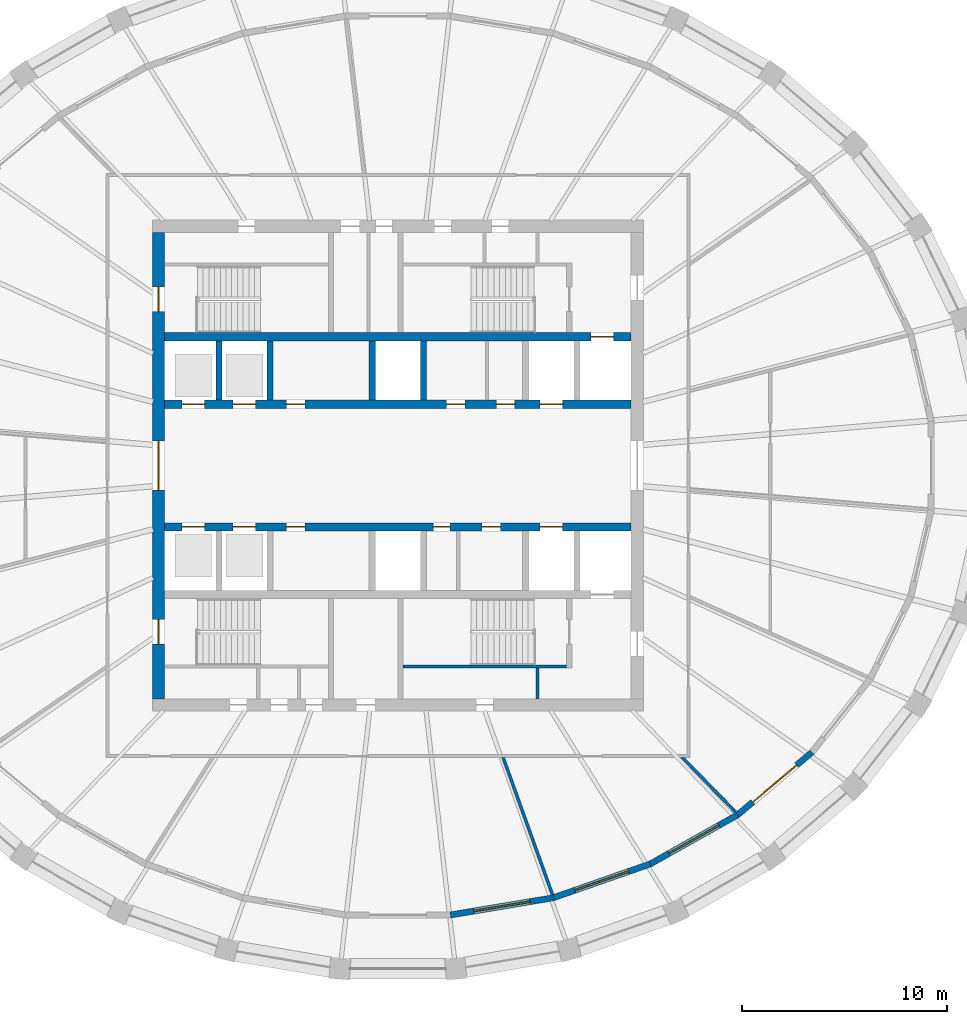
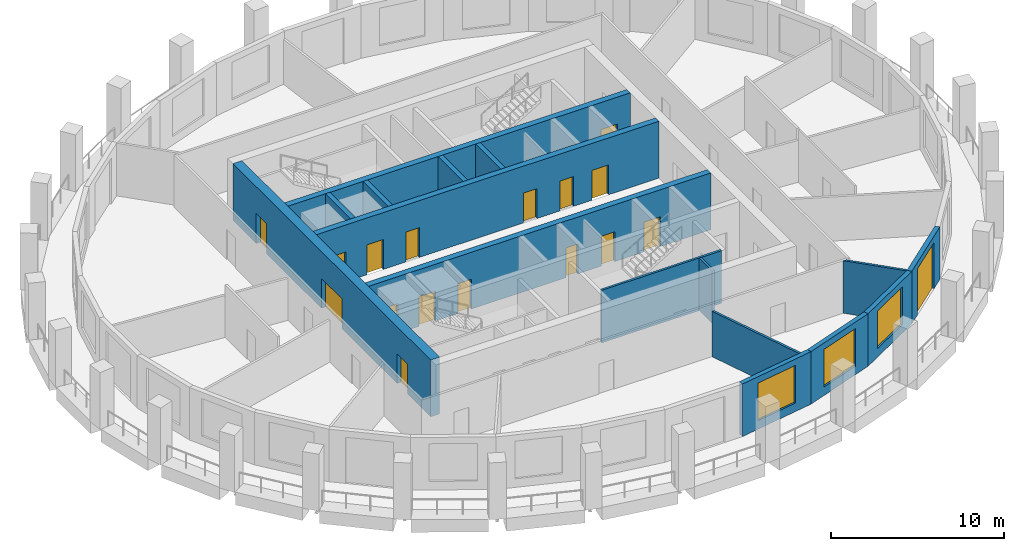
# One storey, part 4 of 10: 17 doors, 16 walls, 3 windows, 20 openings.
"""IFC4 building model written with IfcOpenShell, lengths in metres."""

from ifc_helpers import new_model, si_unit, direction, frame, frame_2d, origin, place, context, subcontext, project, spatial, polyline, rectangle, outline, extrude, material, layer, layer_set, type_object, element, fill, save


model = new_model("IFC4")

# Units and contexts
model_context = context("Model", 3, precision=1e-05, world=origin(), true_north=direction((0.0, 1.0)))
body_context = subcontext(model_context, "Body", "Model", "MODEL_VIEW")
ifc_project = project(units=[si_unit("LENGTHUNIT", "METRE"), si_unit("AREAUNIT", "SQUARE_METRE"), si_unit("VOLUMEUNIT", "CUBIC_METRE"), si_unit("PLANEANGLEUNIT", "RADIAN"), si_unit("MASSUNIT", "GRAM", prefix="KILO")], contexts=[model_context])

# Site, building, storey
site_placement = place(None, origin())
site = spatial("IfcSite", under=ifc_project, at=site_placement, CompositionType="ELEMENT")
building_placement = place(site_placement, origin())
building = spatial("IfcBuilding", under=site, at=building_placement, Name="Halqa Exchange Tower", CompositionType="ELEMENT")
storey_placement = place(building_placement, frame((0.0, 0.0, 308.300048828125)))
storey = spatial("IfcBuildingStorey", under=building, at=storey_placement, Name="L72", CompositionType="ELEMENT", Elevation=308.300048828125)

# Walls
ifc_material_1 = material(Name="Fire-rated gypsum board")
ifc_layer_1 = layer(ifc_material_1, 0.14990234375)
ifc_layer_set_1 = layer_set([ifc_layer_1], Name="Fire-rated gypsum board")
wall_type_1 = type_object("IfcWallType", Name="Fire partition EI 60 150", PredefinedType="PARTITIONING", material=ifc_layer_set_1)
wall_1_placement = place(storey_placement, frame((5.137939453125, -14.25, 0.0), z_axis=(0.0, 0.0, 1.0), x_axis=(0.338519975389, -0.940959205419, 0.0)))
element("IfcWall", 1, at=wall_1_placement, inside=storey, type_object=wall_type_1, Name="L72-PWL-011", PredefinedType="PARTITIONING", context=body_context, shape_type="SweptSolid", body=[
    extrude(outline(polyline([(0.0, -0.074951171875), (1.7841796875, -0.074951171875), (3.568359375, -0.074951171875), (5.3525390625, -0.074951171875), (7.13671875, -0.074951171875), (7.150390625, 0.001220703125), (7.150634765625, 0.01904296875), (7.150634765625, 0.074951171875), (5.37646484375, 0.074951171875), (3.60205078125, 0.074951171875), (1.827880859375, 0.074951171875), (0.053466796875, 0.074951171875), (0.0, -0.07373046875), (0.0, -0.074951171875)])), origin(), (0.0, 0.0, 1.0), 3.199951171875),
])
wall_2_placement = place(storey_placement, frame((13.8623046875, -14.222900390625, 0.0), z_axis=(0.0, 0.0, 1.0), x_axis=(0.698607487782, -0.715505120887, 0.0)))
element("IfcWall", 2, at=wall_2_placement, inside=storey, type_object=wall_type_1, Name="L72-PWL-012", PredefinedType="PARTITIONING", context=body_context, shape_type="SweptSolid", body=[
    extrude(outline(polyline([(3.785400390625, 0.074951171875), (1.9658203125, 0.074951171875), (0.14599609375, 0.074951171875), (0.0, -0.074462890625), (0.0, -0.074951171875), (1.892578125, -0.074951171875), (3.785400390625, -0.074951171875), (3.785400390625, 0.074951171875)])), origin(), (0.0, 0.0, 1.0), 3.699951171875),
])
ifc_material_2 = material(Name="Gypsum board")
ifc_layer_2 = layer(ifc_material_2, 0.14990234375)
ifc_layer_set_2 = layer_set([ifc_layer_2], Name="Gypsum board")
wall_type_2 = type_object("IfcWallType", Name="Penthouse riser wall 150 gypsum", PredefinedType="PARTITIONING", material=ifc_layer_set_2)
wall_3_placement = place(storey_placement, frame((6.824951171875, -11.39990234375, 0.0), z_axis=(0.0, 0.0, 1.0), x_axis=(0.0, 1.0, 0.0)))
element("IfcWall", 3, at=wall_3_placement, inside=storey, type_object=wall_type_2, Name="Firefighting lobby west wall S", PredefinedType="PARTITIONING", context=body_context, shape_type="SweptSolid", body=[
    extrude(rectangle(XDim=1.5, YDim=0.14990234375, at=frame_2d((0.75, 0.0))), origin(), (0.0, 0.0, 1.0), 3.699951171875),
])
ifc_material_3 = material(Name="Concrete C60/75", Category="concrete")
ifc_layer_3 = layer(ifc_material_3, 0.300048828125)
ifc_layer_set_3 = layer_set([ifc_layer_3], Name="Concrete C60/75")
wall_type_3 = type_object("IfcWallType", Name="RC core wall 300", PredefinedType="SHEAR", material=ifc_layer_set_3)
for number, where, z_axis, x_axis, name in (
    (4, (-8.75, 3.199951171875, 0.0), (0.0, 0.0, 1.0), (0.0, 1.0, 0.0), "Shaft divider N1"),
    (5, (-6.25, 3.199951171875, 0.0), (0.0, 0.0, 1.0), (0.0, 1.0, 0.0), "Shaft divider N2"),
    (6, (-1.25, 3.199951171875, 0.0), (0.0, 0.0, 1.0), (0.0, 1.0, 0.0), "Shaft divider N4"),
    (7, (1.25, 3.199951171875, 0.0), (0.0, 0.0, 1.0), (0.0, 1.0, 0.0), "Shaft divider N5"),
):
    element("IfcWall", number, at=place(storey_placement, frame(where, z_axis=z_axis, x_axis=x_axis)), inside=storey, type_object=wall_type_3, Name=name, PredefinedType="SHEAR", context=body_context, shape_type="SweptSolid", body=[
        extrude(rectangle(XDim=2.900146484375, YDim=0.300048828125, at=frame_2d((1.4501953125, 0.0))), origin(), (0.0, 0.0, 1.0), 4.0),
    ])

# Wall, openings, doors
ifc_layer_4 = layer(ifc_material_3, 0.39990234375)
ifc_layer_set_4 = layer_set([ifc_layer_4], Name="Concrete C60/75")
wall_type_4 = type_object("IfcWallType", Name="RC core wall 400 C60/75", PredefinedType="SHEAR", material=ifc_layer_set_4)
wall_4_placement = place(storey_placement, frame((-11.39990234375, 3.0, 0.0), z_axis=(0.0, 0.0, 1.0), x_axis=(1.0, 0.0, 0.0)))
wall_4 = element("IfcWall", 8, at=wall_4_placement, inside=storey, type_object=wall_type_4, Name="Lift row front wall N", PredefinedType="SHEAR", context=body_context, shape_type="SweptSolid", body=[
    extrude(rectangle(XDim=22.7998046875, YDim=0.39990234375, at=frame_2d((11.39990234375, 0.0))), origin(), (0.0, 0.0, 1.0), 4.0),
])
opening_1_placement = place(wall_4_placement, frame((0.85009765625, 0.0, 0.0)))
opening_1 = element("IfcOpeningElement", 9, at=opening_1_placement, cuts=wall_4, Name="Opening LD-HR1-T22", PredefinedType="OPENING", context=body_context, shape_type="SweptSolid", body=[
    extrude(rectangle(XDim=1.10009765625, YDim=2.10009765625, at=frame_2d((0.550048828125, 1.050048828125))), frame((0.0, 0.2119140625, 0.0), z_axis=(0.0, -1.0, 0.0), x_axis=(1.0, 0.0, 0.0)), (0.0, 0.0, 1.0), 0.423828125),
])
opening_2_placement = place(wall_4_placement, frame((3.35009765625, 0.0, 0.0)))
opening_2 = element("IfcOpeningElement", 10, at=opening_2_placement, cuts=wall_4, Name="Opening LD-HR2-T22", PredefinedType="OPENING", context=body_context, shape_type="SweptSolid", body=[
    extrude(rectangle(XDim=1.10009765625, YDim=2.10009765625, at=frame_2d((0.550048828125, 1.050048828125))), frame((0.0, 0.2119140625, 0.0), z_axis=(0.0, -1.0, 0.0), x_axis=(1.0, 0.0, 0.0)), (0.0, 0.0, 1.0), 0.423828125),
])
opening_3_placement = place(wall_4_placement, frame((18.35009765625, 0.0, 0.0)))
opening_3 = element("IfcOpeningElement", 11, at=opening_3_placement, cuts=wall_4, Name="Opening LD-SV1-T22", PredefinedType="OPENING", context=body_context, shape_type="SweptSolid", body=[
    extrude(rectangle(XDim=1.10009765625, YDim=2.10009765625, at=frame_2d((0.550048828125, 1.050048828125))), frame((0.0, 0.2119140625, 0.0), z_axis=(0.0, -1.0, 0.0), x_axis=(1.0, 0.0, 0.0)), (0.0, 0.0, 1.0), 0.423828125),
])
opening_4_placement = place(wall_4_placement, frame((13.78759765625, 0.0, 0.0)))
opening_4 = element("IfcOpeningElement", 12, at=opening_4_placement, cuts=wall_4, Name="Opening T22-C27", PredefinedType="OPENING", context=body_context, shape_type="SweptSolid", body=[
    extrude(rectangle(XDim=0.89990234375, YDim=2.10009765625, at=frame_2d((0.449951171875, 1.050048828125))), frame((0.0, 0.2119140625, 0.0), z_axis=(0.0, -1.0, 0.0), x_axis=(1.0, 0.0, 0.0)), (0.0, 0.0, 1.0), 0.423828125),
])
opening_5_placement = place(wall_4_placement, frame((16.21240234375, 0.0, 0.0)))
opening_5 = element("IfcOpeningElement", 13, at=opening_5_placement, cuts=wall_4, Name="Opening T22-C28", PredefinedType="OPENING", context=body_context, shape_type="SweptSolid", body=[
    extrude(rectangle(XDim=0.89990234375, YDim=2.10009765625, at=frame_2d((0.449951171875, 1.050048828125))), frame((0.0, 0.2119140625, 0.0), z_axis=(0.0, -1.0, 0.0), x_axis=(1.0, 0.0, 0.0)), (0.0, 0.0, 1.0), 0.423828125),
])
opening_6_placement = place(wall_4_placement, frame((5.949951171875, 0.0, 0.0)))
opening_6 = element("IfcOpeningElement", 14, at=opening_6_placement, cuts=wall_4, Name="Opening T22-C29", PredefinedType="OPENING", context=body_context, shape_type="SweptSolid", body=[
    extrude(rectangle(XDim=0.89990234375, YDim=2.10009765625, at=frame_2d((0.449951171875, 1.050048828125))), frame((0.0, 0.2119140625, 0.0), z_axis=(0.0, -1.0, 0.0), x_axis=(1.0, 0.0, 0.0)), (0.0, 0.0, 1.0), 0.423828125),
])
ifc_material_4 = material(Name="Timber fire door leaf", Category="wood")
door_type_1 = type_object("IfcDoorType", Name="Core room door FD30 900 x 2100", OperationType="SINGLE_SWING_LEFT", PredefinedType="DOOR", material=ifc_material_4)
door_1_placement = place(opening_4_placement, origin())
door_1 = element("IfcDoor", 15, at=door_1_placement, inside=storey, type_object=door_type_1, Name="Core room door", OperationType="SINGLE_SWING_RIGHT", OverallHeight=2.10009765625, OverallWidth=0.89990234375, PredefinedType="DOOR", context=body_context, shape_type="SweptSolid", body=[
    extrude(rectangle(XDim=0.89990234375, YDim=2.10009765625, at=frame_2d((0.449951171875, 1.050048828125))), frame((0.0, 0.02490234375, 0.0), z_axis=(0.0, -1.0, 0.0), x_axis=(1.0, 0.0, 0.0)), (0.0, 0.0, 1.0), 0.050048828125),
])
fill(opening_4, door_1)
door_2_placement = place(opening_5_placement, origin())
door_2 = element("IfcDoor", 16, at=door_2_placement, inside=storey, type_object=door_type_1, Name="Core room door", OperationType="SINGLE_SWING_LEFT", OverallHeight=2.10009765625, OverallWidth=0.89990234375, PredefinedType="DOOR", context=body_context, shape_type="SweptSolid", body=[
    extrude(rectangle(XDim=0.89990234375, YDim=2.10009765625, at=frame_2d((0.449951171875, 1.050048828125))), frame((0.0, 0.02490234375, 0.0), z_axis=(0.0, -1.0, 0.0), x_axis=(1.0, 0.0, 0.0)), (0.0, 0.0, 1.0), 0.050048828125),
])
fill(opening_5, door_2)
door_3_placement = place(opening_6_placement, origin())
door_3 = element("IfcDoor", 17, at=door_3_placement, inside=storey, type_object=door_type_1, Name="Core room door", OperationType="SINGLE_SWING_RIGHT", OverallHeight=2.10009765625, OverallWidth=0.89990234375, PredefinedType="DOOR", context=body_context, shape_type="SweptSolid", body=[
    extrude(rectangle(XDim=0.89990234375, YDim=2.10009765625, at=frame_2d((0.449951171875, 1.050048828125))), frame((0.0, 0.02490234375, 0.0), z_axis=(0.0, -1.0, 0.0), x_axis=(1.0, 0.0, 0.0)), (0.0, 0.0, 1.0), 0.050048828125),
])
fill(opening_6, door_3)
ifc_material_5 = material(Name="Stainless steel", Category="steel")
door_type_2 = type_object("IfcDoorType", Name="Lift landing door 1100 x 2100", OperationType="SLIDING_TO_LEFT", PredefinedType="DOOR", material=ifc_material_5)
door_4_placement = place(opening_1_placement, origin())
door_4 = element("IfcDoor", 18, at=door_4_placement, inside=storey, type_object=door_type_2, Name="Lift landing door HR1", OperationType="SLIDING_TO_LEFT", OverallHeight=2.10009765625, OverallWidth=1.10009765625, PredefinedType="DOOR", context=body_context, shape_type="SweptSolid", body=[
    extrude(rectangle(XDim=1.10009765625, YDim=2.10009765625, at=frame_2d((0.550048828125, 1.050048828125))), frame((0.0, 0.02490234375, 0.0), z_axis=(0.0, -1.0, 0.0), x_axis=(1.0, 0.0, 0.0)), (0.0, 0.0, 1.0), 0.050048828125),
])
fill(opening_1, door_4)
door_5_placement = place(opening_2_placement, origin())
door_5 = element("IfcDoor", 19, at=door_5_placement, inside=storey, type_object=door_type_2, Name="Lift landing door HR2", OperationType="SLIDING_TO_LEFT", OverallHeight=2.10009765625, OverallWidth=1.10009765625, PredefinedType="DOOR", context=body_context, shape_type="SweptSolid", body=[
    extrude(rectangle(XDim=1.10009765625, YDim=2.10009765625, at=frame_2d((0.550048828125, 1.050048828125))), frame((0.0, 0.02490234375, 0.0), z_axis=(0.0, -1.0, 0.0), x_axis=(1.0, 0.0, 0.0)), (0.0, 0.0, 1.0), 0.050048828125),
])
fill(opening_2, door_5)
door_6_placement = place(opening_3_placement, origin())
door_6 = element("IfcDoor", 20, at=door_6_placement, inside=storey, type_object=door_type_2, Name="Lift landing door SV1", OperationType="SLIDING_TO_LEFT", OverallHeight=2.10009765625, OverallWidth=1.10009765625, PredefinedType="DOOR", context=body_context, shape_type="SweptSolid", body=[
    extrude(rectangle(XDim=1.10009765625, YDim=2.10009765625, at=frame_2d((0.550048828125, 1.050048828125))), frame((0.0, 0.02490234375, 0.0), z_axis=(0.0, -1.0, 0.0), x_axis=(1.0, 0.0, 0.0)), (0.0, 0.0, 1.0), 0.050048828125),
])
fill(opening_3, door_6)

# Wall, opening, door
wall_5_placement = place(storey_placement, frame((-11.39990234375, 6.300048828125, 0.0), z_axis=(0.0, 0.0, 1.0), x_axis=(1.0, 0.0, 0.0)))
wall_5 = element("IfcWall", 21, at=wall_5_placement, inside=storey, type_object=wall_type_4, Name="Lift row back wall N", PredefinedType="SHEAR", context=body_context, shape_type="SweptSolid", body=[
    extrude(rectangle(XDim=22.7998046875, YDim=0.39990234375, at=frame_2d((11.39990234375, 0.0))), origin(), (0.0, 0.0, 1.0), 4.0),
])
opening_7_placement = place(wall_5_placement, frame((20.85009765625, 0.0, 0.0)))
opening_7 = element("IfcOpeningElement", 22, at=opening_7_placement, cuts=wall_5, Name="Opening LD-FF1-T22", PredefinedType="OPENING", context=body_context, shape_type="SweptSolid", body=[
    extrude(rectangle(XDim=1.10009765625, YDim=2.10009765625, at=frame_2d((0.550048828125, 1.050048828125))), frame((0.0, 0.2119140625, 0.0), z_axis=(0.0, -1.0, 0.0), x_axis=(1.0, 0.0, 0.0)), (0.0, 0.0, 1.0), 0.423828125),
])
door_7_placement = place(opening_7_placement, origin())
door_7 = element("IfcDoor", 23, at=door_7_placement, inside=storey, type_object=door_type_2, Name="Lift landing door FF1", OperationType="SLIDING_TO_LEFT", OverallHeight=2.10009765625, OverallWidth=1.10009765625, PredefinedType="DOOR", context=body_context, shape_type="SweptSolid", body=[
    extrude(rectangle(XDim=1.10009765625, YDim=2.10009765625, at=frame_2d((0.550048828125, 1.050048828125))), frame((0.0, 0.02490234375, 0.0), z_axis=(0.0, -1.0, 0.0), x_axis=(1.0, 0.0, 0.0)), (0.0, 0.0, 1.0), 0.050048828125),
])
fill(opening_7, door_7)

# Wall, openings, doors
wall_6_placement = place(storey_placement, frame((-11.39990234375, -3.0, 0.0), z_axis=(0.0, 0.0, 1.0), x_axis=(1.0, 0.0, 0.0)))
wall_6 = element("IfcWall", 24, at=wall_6_placement, inside=storey, type_object=wall_type_4, Name="Lift row front wall S", PredefinedType="SHEAR", context=body_context, shape_type="SweptSolid", body=[
    extrude(rectangle(XDim=22.7998046875, YDim=0.39990234375, at=frame_2d((11.39990234375, 0.0))), origin(), (0.0, 0.0, 1.0), 4.0),
])
opening_8_placement = place(wall_6_placement, frame((0.85009765625, 0.0, 0.0)))
opening_8 = element("IfcOpeningElement", 25, at=opening_8_placement, cuts=wall_6, Name="Opening LD-HR3-T22", PredefinedType="OPENING", context=body_context, shape_type="SweptSolid", body=[
    extrude(rectangle(XDim=1.10009765625, YDim=2.10009765625, at=frame_2d((0.550048828125, 1.050048828125))), frame((0.0, 0.2119140625, 0.0), z_axis=(0.0, -1.0, 0.0), x_axis=(1.0, 0.0, 0.0)), (0.0, 0.0, 1.0), 0.423828125),
])
opening_9_placement = place(wall_6_placement, frame((3.35009765625, 0.0, 0.0)))
opening_9 = element("IfcOpeningElement", 26, at=opening_9_placement, cuts=wall_6, Name="Opening LD-HR4-T22", PredefinedType="OPENING", context=body_context, shape_type="SweptSolid", body=[
    extrude(rectangle(XDim=1.10009765625, YDim=2.10009765625, at=frame_2d((0.550048828125, 1.050048828125))), frame((0.0, 0.2119140625, 0.0), z_axis=(0.0, -1.0, 0.0), x_axis=(1.0, 0.0, 0.0)), (0.0, 0.0, 1.0), 0.423828125),
])
opening_10_placement = place(wall_6_placement, frame((18.35009765625, 0.0, 0.0)))
opening_10 = element("IfcOpeningElement", 27, at=opening_10_placement, cuts=wall_6, Name="Opening LD-SV2-T22", PredefinedType="OPENING", context=body_context, shape_type="SweptSolid", body=[
    extrude(rectangle(XDim=1.10009765625, YDim=2.10009765625, at=frame_2d((0.550048828125, 1.050048828125))), frame((0.0, 0.2119140625, 0.0), z_axis=(0.0, -1.0, 0.0), x_axis=(1.0, 0.0, 0.0)), (0.0, 0.0, 1.0), 0.423828125),
])
opening_11_placement = place(wall_6_placement, frame((13.137451171875, 0.0, 0.0)))
opening_11 = element("IfcOpeningElement", 28, at=opening_11_placement, cuts=wall_6, Name="Opening T22-C30", PredefinedType="OPENING", context=body_context, shape_type="SweptSolid", body=[
    extrude(rectangle(XDim=0.800048828125, YDim=2.10009765625, at=frame_2d((0.39990234375, 1.050048828125))), frame((0.0, 0.2119140625, 0.0), z_axis=(0.0, -1.0, 0.0), x_axis=(1.0, 0.0, 0.0)), (0.0, 0.0, 1.0), 0.423828125),
])
opening_12_placement = place(wall_6_placement, frame((15.512451171875, 0.0, 0.0)))
opening_12 = element("IfcOpeningElement", 29, at=opening_12_placement, cuts=wall_6, Name="Opening T22-C31", PredefinedType="OPENING", context=body_context, shape_type="SweptSolid", body=[
    extrude(rectangle(XDim=0.89990234375, YDim=2.10009765625, at=frame_2d((0.449951171875, 1.050048828125))), frame((0.0, 0.2119140625, 0.0), z_axis=(0.0, -1.0, 0.0), x_axis=(1.0, 0.0, 0.0)), (0.0, 0.0, 1.0), 0.423828125),
])
opening_13_placement = place(wall_6_placement, frame((5.949951171875, 0.0, 0.0)))
opening_13 = element("IfcOpeningElement", 30, at=opening_13_placement, cuts=wall_6, Name="Opening T22-C32", PredefinedType="OPENING", context=body_context, shape_type="SweptSolid", body=[
    extrude(rectangle(XDim=0.89990234375, YDim=2.10009765625, at=frame_2d((0.449951171875, 1.050048828125))), frame((0.0, 0.2119140625, 0.0), z_axis=(0.0, -1.0, 0.0), x_axis=(1.0, 0.0, 0.0)), (0.0, 0.0, 1.0), 0.423828125),
])
door_8_placement = place(opening_12_placement, frame((0.89990234375, 0.0, 0.0), z_axis=(0.0, 0.0, 1.0), x_axis=(-1.0, 0.0, 0.0)))
door_8 = element("IfcDoor", 31, at=door_8_placement, inside=storey, type_object=door_type_1, Name="Core room door", OperationType="SINGLE_SWING_LEFT", OverallHeight=2.10009765625, OverallWidth=0.89990234375, PredefinedType="DOOR", context=body_context, shape_type="SweptSolid", body=[
    extrude(rectangle(XDim=0.89990234375, YDim=2.10009765625, at=frame_2d((0.449951171875, 1.050048828125))), frame((0.0, 0.02490234375, 0.0), z_axis=(0.0, -1.0, 0.0), x_axis=(1.0, 0.0, 0.0)), (0.0, 0.0, 1.0), 0.050048828125),
])
fill(opening_12, door_8)
door_9_placement = place(opening_13_placement, frame((0.89990234375, 0.0, 0.0), z_axis=(0.0, 0.0, 1.0), x_axis=(-1.0, 0.0, 0.0)))
door_9 = element("IfcDoor", 32, at=door_9_placement, inside=storey, type_object=door_type_1, Name="Core room door", OperationType="SINGLE_SWING_LEFT", OverallHeight=2.10009765625, OverallWidth=0.89990234375, PredefinedType="DOOR", context=body_context, shape_type="SweptSolid", body=[
    extrude(rectangle(XDim=0.89990234375, YDim=2.10009765625, at=frame_2d((0.449951171875, 1.050048828125))), frame((0.0, 0.02490234375, 0.0), z_axis=(0.0, -1.0, 0.0), x_axis=(1.0, 0.0, 0.0)), (0.0, 0.0, 1.0), 0.050048828125),
])
fill(opening_13, door_9)
door_10_placement = place(opening_8_placement, origin())
door_10 = element("IfcDoor", 33, at=door_10_placement, inside=storey, type_object=door_type_2, Name="Lift landing door HR3", OperationType="SLIDING_TO_LEFT", OverallHeight=2.10009765625, OverallWidth=1.10009765625, PredefinedType="DOOR", context=body_context, shape_type="SweptSolid", body=[
    extrude(rectangle(XDim=1.10009765625, YDim=2.10009765625, at=frame_2d((0.550048828125, 1.050048828125))), frame((0.0, 0.02490234375, 0.0), z_axis=(0.0, -1.0, 0.0), x_axis=(1.0, 0.0, 0.0)), (0.0, 0.0, 1.0), 0.050048828125),
])
fill(opening_8, door_10)
door_11_placement = place(opening_9_placement, origin())
door_11 = element("IfcDoor", 34, at=door_11_placement, inside=storey, type_object=door_type_2, Name="Lift landing door HR4", OperationType="SLIDING_TO_LEFT", OverallHeight=2.10009765625, OverallWidth=1.10009765625, PredefinedType="DOOR", context=body_context, shape_type="SweptSolid", body=[
    extrude(rectangle(XDim=1.10009765625, YDim=2.10009765625, at=frame_2d((0.550048828125, 1.050048828125))), frame((0.0, 0.02490234375, 0.0), z_axis=(0.0, -1.0, 0.0), x_axis=(1.0, 0.0, 0.0)), (0.0, 0.0, 1.0), 0.050048828125),
])
fill(opening_9, door_11)
door_12_placement = place(opening_10_placement, origin())
door_12 = element("IfcDoor", 35, at=door_12_placement, inside=storey, type_object=door_type_2, Name="Lift landing door SV2", OperationType="SLIDING_TO_LEFT", OverallHeight=2.10009765625, OverallWidth=1.10009765625, PredefinedType="DOOR", context=body_context, shape_type="SweptSolid", body=[
    extrude(rectangle(XDim=1.10009765625, YDim=2.10009765625, at=frame_2d((0.550048828125, 1.050048828125))), frame((0.0, 0.02490234375, 0.0), z_axis=(0.0, -1.0, 0.0), x_axis=(1.0, 0.0, 0.0)), (0.0, 0.0, 1.0), 0.050048828125),
])
fill(opening_10, door_12)
ifc_material_6 = material(Name="Steel fire door leaf", Category="steel")
door_type_3 = type_object("IfcDoorType", Name="Riser door FD60 800 x 2100", OperationType="SINGLE_SWING_LEFT", PredefinedType="DOOR", material=ifc_material_6)
door_13_placement = place(opening_11_placement, frame((0.800048828125, 0.0, 0.0), z_axis=(0.0, 0.0, 1.0), x_axis=(-1.0, 0.0, 0.0)))
door_13 = element("IfcDoor", 36, at=door_13_placement, inside=storey, type_object=door_type_3, Name="Core room door", OperationType="SINGLE_SWING_LEFT", OverallHeight=2.10009765625, OverallWidth=0.800048828125, PredefinedType="DOOR", context=body_context, shape_type="SweptSolid", body=[
    extrude(rectangle(XDim=0.800048828125, YDim=2.10009765625, at=frame_2d((0.39990234375, 1.050048828125))), frame((0.0, 0.02490234375, 0.0), z_axis=(0.0, -1.0, 0.0), x_axis=(1.0, 0.0, 0.0)), (0.0, 0.0, 1.0), 0.050048828125),
])
fill(opening_11, door_13)

ifc_layer_5 = layer(ifc_material_3, 0.60009765625)
ifc_layer_set_5 = layer_set([ifc_layer_5], Name="Concrete C60/75")
wall_type_5 = type_object("IfcWallType", Name="RC core wall 600 C60/75", PredefinedType="SHEAR", material=ifc_layer_set_5)
wall_7_placement = place(storey_placement, frame((-11.699951171875, -11.39990234375, 0.0), z_axis=(0.0, 0.0, 1.0), x_axis=(0.0, 1.0, 0.0)))
wall_7 = element("IfcWall", 37, at=wall_7_placement, inside=storey, type_object=wall_type_5, Name="Core wall west", PredefinedType="SHEAR", context=body_context, shape_type="SweptSolid", body=[
    extrude(rectangle(XDim=22.7998046875, YDim=0.60009765625, at=frame_2d((11.39990234375, 0.0))), origin(), (0.0, 0.0, 1.0), 4.0),
])
opening_14_placement = place(wall_7_placement, frame((10.199951171875, 0.0, 0.0)))
opening_14 = element("IfcOpeningElement", 38, at=opening_14_placement, cuts=wall_7, Name="Opening T22-C09", PredefinedType="OPENING", context=body_context, shape_type="SweptSolid", body=[
    extrude(rectangle(XDim=2.39990234375, YDim=2.10009765625, at=frame_2d((1.199951171875, 1.050048828125))), frame((0.0, 0.31201171875, 0.0), z_axis=(0.0, -1.0, 0.0), x_axis=(1.0, 0.0, 0.0)), (0.0, 0.0, 1.0), 0.6240234375),
])
opening_15_placement = place(wall_7_placement, frame((18.925048828125, 0.0, 0.0)))
opening_15 = element("IfcOpeningElement", 39, at=opening_15_placement, cuts=wall_7, Name="Opening T22-C11", PredefinedType="OPENING", context=body_context, shape_type="SweptSolid", body=[
    extrude(rectangle(XDim=1.199951171875, YDim=2.10009765625, at=frame_2d((0.60009765625, 1.050048828125))), frame((0.0, 0.31201171875, 0.0), z_axis=(0.0, -1.0, 0.0), x_axis=(1.0, 0.0, 0.0)), (0.0, 0.0, 1.0), 0.6240234375),
])
opening_16_placement = place(wall_7_placement, frame((2.675048828125, 0.0, 0.0)))
opening_16 = element("IfcOpeningElement", 40, at=opening_16_placement, cuts=wall_7, Name="Opening T22-C13", PredefinedType="OPENING", context=body_context, shape_type="SweptSolid", body=[
    extrude(rectangle(XDim=1.199951171875, YDim=2.10009765625, at=frame_2d((0.60009765625, 1.050048828125))), frame((0.0, 0.31201171875, 0.0), z_axis=(0.0, -1.0, 0.0), x_axis=(1.0, 0.0, 0.0)), (0.0, 0.0, 1.0), 0.6240234375),
])
door_type_4 = type_object("IfcDoorType", Name="Lobby double door FD60 2400 x 2100", OperationType="DOUBLE_DOOR_SINGLE_SWING", PredefinedType="DOOR", material=ifc_material_6)
door_14_placement = place(opening_14_placement, frame((2.39990234375, 0.0, 0.0), z_axis=(0.0, 0.0, 1.0), x_axis=(-1.0, 0.0, 0.0)))
door_14 = element("IfcDoor", 41, at=door_14_placement, inside=storey, type_object=door_type_4, Name="Lift lobby double door", OperationType="DOUBLE_DOOR_SINGLE_SWING", OverallHeight=2.10009765625, OverallWidth=2.39990234375, PredefinedType="DOOR", context=body_context, shape_type="SweptSolid", body=[
    extrude(rectangle(XDim=2.39990234375, YDim=2.10009765625, at=frame_2d((1.199951171875, 1.050048828125))), frame((0.0, 0.02490234375, 0.0), z_axis=(0.0, -1.0, 0.0), x_axis=(1.0, 0.0, 0.0)), (0.0, 0.0, 1.0), 0.050048828125),
])
fill(opening_14, door_14)
door_type_5 = type_object("IfcDoorType", Name="Stair door FD90 1200 x 2100", OperationType="SINGLE_SWING_LEFT", PredefinedType="DOOR", material=ifc_material_6)
door_15_placement = place(opening_15_placement, frame((1.199951171875, 0.0, 0.0), z_axis=(0.0, 0.0, 1.0), x_axis=(-1.0, 0.0, 0.0)))
door_15 = element("IfcDoor", 42, at=door_15_placement, inside=storey, type_object=door_type_5, Name="Stair door ST1", OperationType="SINGLE_SWING_LEFT", OverallHeight=2.10009765625, OverallWidth=1.199951171875, PredefinedType="DOOR", context=body_context, shape_type="SweptSolid", body=[
    extrude(rectangle(XDim=1.199951171875, YDim=2.10009765625, at=frame_2d((0.60009765625, 1.050048828125))), frame((0.0, 0.02490234375, 0.0), z_axis=(0.0, -1.0, 0.0), x_axis=(1.0, 0.0, 0.0)), (0.0, 0.0, 1.0), 0.050048828125),
])
fill(opening_15, door_15)
door_16_placement = place(opening_16_placement, frame((1.199951171875, 0.0, 0.0), z_axis=(0.0, 0.0, 1.0), x_axis=(-1.0, 0.0, 0.0)))
door_16 = element("IfcDoor", 43, at=door_16_placement, inside=storey, type_object=door_type_5, Name="Stair door ST3", OperationType="SINGLE_SWING_LEFT", OverallHeight=2.10009765625, OverallWidth=1.199951171875, PredefinedType="DOOR", context=body_context, shape_type="SweptSolid", body=[
    extrude(rectangle(XDim=1.199951171875, YDim=2.10009765625, at=frame_2d((0.60009765625, 1.050048828125))), frame((0.0, 0.02490234375, 0.0), z_axis=(0.0, -1.0, 0.0), x_axis=(1.0, 0.0, 0.0)), (0.0, 0.0, 1.0), 0.050048828125),
])
fill(opening_16, door_16)

# Wall
ifc_material_7 = material(Name="Concrete C30/37", Category="concrete")
ifc_layer_6 = layer(ifc_material_7, 0.14990234375)
ifc_layer_set_6 = layer_set([ifc_layer_6], Name="Concrete C30/37")
wall_type_6 = type_object("IfcWallType", Name="RC stair wall 150 C30/37", PredefinedType="SHEAR", material=ifc_layer_set_6)
wall_8_placement = place(storey_placement, frame((0.25, -9.824951171875, 0.0), z_axis=(0.0, 0.0, 1.0), x_axis=(1.0, 0.0, 0.0)))
element("IfcWall", 44, at=wall_8_placement, inside=storey, type_object=wall_type_6, Name="Stair ST2 north wall S", PredefinedType="SHEAR", context=body_context, shape_type="SweptSolid", body=[
    extrude(rectangle(XDim=8.0, YDim=0.14990234375, at=frame_2d((4.0, 0.0))), origin(), (0.0, 0.0, 1.0), 3.699951171875),
])

# Wall, opening, window
ifc_material_8 = material(Name="Limestone cladding", Category="masonry")
ifc_layer_7 = layer(ifc_material_8, 0.0400390625)
ifc_material_9 = material(Name="Ventilated cavity")
ifc_layer_8 = layer(ifc_material_9, 0.030029296875, ventilated=True)
ifc_material_10 = material(Name="Mineral wool insulation")
ifc_layer_9 = layer(ifc_material_10, 0.10009765625)
ifc_layer_10 = layer(ifc_material_7, 0.10009765625)
ifc_material_11 = material(Name="Internal plaster")
ifc_layer_11 = layer(ifc_material_11, 0.030029296875)
ifc_layer_set_7 = layer_set([ifc_layer_7, ifc_layer_8, ifc_layer_9, ifc_layer_10, ifc_layer_11], Name="Stone-faced insulated wall 300")
wall_type_7 = type_object("IfcWallType", Name="Stone-faced insulated wall 300", PredefinedType="STANDARD", material=ifc_layer_set_7)
wall_9_placement = place(storey_placement, frame((2.565185546875, -21.96630859375, 0.0), z_axis=(0.0, 0.0, 1.0), x_axis=(0.986269480969, 0.165143909695, 0.0)))
wall_9 = element("IfcWall", 45, at=wall_9_placement, inside=storey, type_object=wall_type_7, Name="Glass-line wall 25", PredefinedType="STANDARD", context=body_context, shape_type="SweptSolid", body=[
    extrude(outline(polyline([(-0.012451171875, -0.14990234375), (5.114501953125, -0.14990234375), (5.089111328125, 0.14990234375), (0.012451171875, 0.14990234375), (-0.012451171875, -0.14990234375)])), origin(), (0.0, 0.0, 1.0), 3.699951171875),
])
opening_17_placement = place(wall_9_placement, frame((1.15087890625, 0.0, 0.60009765625)))
opening_17 = element("IfcOpeningElement", 46, at=opening_17_placement, cuts=wall_9, Name="Opening W-F4-25", PredefinedType="OPENING", context=body_context, shape_type="SweptSolid", body=[
    extrude(rectangle(XDim=2.800048828125, YDim=2.64990234375, at=frame_2d((1.39990234375, 1.324951171875))), frame((0.0, 0.162109375, 0.0), z_axis=(0.0, -1.0, 0.0), x_axis=(1.0, 0.0, 0.0)), (0.0, 0.0, 1.0), 0.323974609375),
])
ifc_material_12 = material(Name="Clear low-emissivity glass in aluminium frame", Category="aluminium")
window_type = type_object("IfcWindowType", Name="Fixed clear glazed window 2800 x 2650", PartitioningType="DOUBLE_PANEL_VERTICAL", PredefinedType="WINDOW", material=ifc_material_12)
window_1_placement = place(opening_17_placement, origin())
window_1 = element("IfcWindow", 47, at=window_1_placement, inside=storey, type_object=window_type, Name="Window 4", OverallHeight=2.64990234375, OverallWidth=2.800048828125, PartitioningType="DOUBLE_PANEL_VERTICAL", PredefinedType="WINDOW", context=body_context, shape_type="SweptSolid", body=[
    extrude(rectangle(XDim=2.800048828125, YDim=2.64990234375, at=frame_2d((1.39990234375, 1.324951171875))), frame((0.0, 0.030029296875, 0.0), z_axis=(0.0, -1.0, 0.0), x_axis=(1.0, 0.0, 0.0)), (0.0, 0.0, 1.0), 0.06005859375),
])
fill(opening_17, window_1)

wall_10_placement = place(storey_placement, frame((7.596923828125, -21.123779296875, 0.0), z_axis=(0.0, 0.0, 1.0), x_axis=(0.944251863618, 0.329223963365, 0.0)))
wall_10 = element("IfcWall", 48, at=wall_10_placement, inside=storey, type_object=wall_type_7, Name="Glass-line wall 26", PredefinedType="STANDARD", context=body_context, shape_type="SweptSolid", body=[
    extrude(outline(polyline([(-0.0126953125, -0.14990234375), (5.034423828125, -0.14990234375), (5.008056640625, 0.14990234375), (0.0126953125, 0.14990234375), (-0.0126953125, -0.14990234375)])), origin(), (0.0, 0.0, 1.0), 3.699951171875),
])
opening_18_placement = place(wall_10_placement, frame((1.110595703125, 0.0, 0.60009765625)))
opening_18 = element("IfcOpeningElement", 49, at=opening_18_placement, cuts=wall_10, Name="Opening W-F4-26", PredefinedType="OPENING", context=body_context, shape_type="SweptSolid", body=[
    extrude(rectangle(XDim=2.800048828125, YDim=2.64990234375, at=frame_2d((1.39990234375, 1.324951171875))), frame((0.0, 0.162109375, 0.0), z_axis=(0.0, -1.0, 0.0), x_axis=(1.0, 0.0, 0.0)), (0.0, 0.0, 1.0), 0.323974609375),
])
window_2_placement = place(opening_18_placement, origin())
window_2 = element("IfcWindow", 50, at=window_2_placement, inside=storey, type_object=window_type, Name="Window 4", OverallHeight=2.64990234375, OverallWidth=2.800048828125, PartitioningType="DOUBLE_PANEL_VERTICAL", PredefinedType="WINDOW", context=body_context, shape_type="SweptSolid", body=[
    extrude(rectangle(XDim=2.800048828125, YDim=2.64990234375, at=frame_2d((1.39990234375, 1.324951171875))), frame((0.0, 0.030029296875, 0.0), z_axis=(0.0, -1.0, 0.0), x_axis=(1.0, 0.0, 0.0)), (0.0, 0.0, 1.0), 0.06005859375),
])
fill(opening_18, window_2)

wall_11_placement = place(storey_placement, frame((12.338134765625, -19.470703125, 0.0), z_axis=(0.0, 0.0, 1.0), x_axis=(0.871570211895, 0.490270706588, 0.0)))
wall_11 = element("IfcWall", 51, at=wall_11_placement, inside=storey, type_object=wall_type_7, Name="Glass-line wall 27", PredefinedType="STANDARD", context=body_context, shape_type="SweptSolid", body=[
    extrude(outline(polyline([(-0.01318359375, -0.14990234375), (4.91162109375, -0.14990234375), (4.88330078125, 0.14990234375), (0.01318359375, 0.14990234375), (-0.01318359375, -0.14990234375)])), origin(), (0.0, 0.0, 1.0), 3.699951171875),
])
opening_19_placement = place(wall_11_placement, frame((1.048828125, 0.0, 0.60009765625)))
opening_19 = element("IfcOpeningElement", 52, at=opening_19_placement, cuts=wall_11, Name="Opening W-F4-27", PredefinedType="OPENING", context=body_context, shape_type="SweptSolid", body=[
    extrude(rectangle(XDim=2.800048828125, YDim=2.64990234375, at=frame_2d((1.39990234375, 1.324951171875))), frame((0.0, 0.162109375, 0.0), z_axis=(0.0, -1.0, 0.0), x_axis=(1.0, 0.0, 0.0)), (0.0, 0.0, 1.0), 0.323974609375),
])
window_3_placement = place(opening_19_placement, origin())
window_3 = element("IfcWindow", 53, at=window_3_placement, inside=storey, type_object=window_type, Name="Window 4", OverallHeight=2.64990234375, OverallWidth=2.800048828125, PartitioningType="DOUBLE_PANEL_VERTICAL", PredefinedType="WINDOW", context=body_context, shape_type="SweptSolid", body=[
    extrude(rectangle(XDim=2.800048828125, YDim=2.64990234375, at=frame_2d((1.39990234375, 1.324951171875))), frame((0.0, 0.030029296875, 0.0), z_axis=(0.0, -1.0, 0.0), x_axis=(1.0, 0.0, 0.0)), (0.0, 0.0, 1.0), 0.06005859375),
])
fill(opening_19, window_3)

# Wall, opening, door
wall_12_placement = place(storey_placement, frame((16.606689453125, -17.069580078125, 0.0), z_axis=(0.0, 0.0, 1.0), x_axis=(0.765059193792, 0.643959959931, 0.0)))
wall_12 = element("IfcWall", 54, at=wall_12_placement, inside=storey, type_object=wall_type_7, Name="Glass-line wall 28", PredefinedType="STANDARD", context=body_context, shape_type="SweptSolid", body=[
    extrude(outline(polyline([(-0.01416015625, -0.14990234375), (4.762939453125, -0.14990234375), (4.732666015625, 0.14990234375), (0.01416015625, 0.14990234375), (-0.01416015625, -0.14990234375)])), origin(), (0.0, 0.0, 1.0), 3.699951171875),
])
opening_20_placement = place(wall_12_placement, frame((0.973876953125, 0.0, 0.0)))
opening_20 = element("IfcOpeningElement", 55, at=opening_20_placement, cuts=wall_12, Name="Opening LG-F4-07", PredefinedType="OPENING", context=body_context, shape_type="SweptSolid", body=[
    extrude(rectangle(XDim=2.800048828125, YDim=3.25, at=frame_2d((1.39990234375, 1.625))), frame((0.0, 0.162109375, 0.0), z_axis=(0.0, -1.0, 0.0), x_axis=(1.0, 0.0, 0.0)), (0.0, 0.0, 1.0), 0.323974609375),
])
door_type_6 = type_object("IfcDoorType", Name="Glazed sliding loggia door 2800 x 3250", OperationType="DOUBLE_DOOR_SLIDING", PredefinedType="DOOR", material=ifc_material_12)
door_17_placement = place(opening_20_placement, origin())
door_17 = element("IfcDoor", 56, at=door_17_placement, inside=storey, type_object=door_type_6, Name="Loggia door 7", OperationType="DOUBLE_DOOR_SLIDING", OverallHeight=3.25, OverallWidth=2.800048828125, PredefinedType="DOOR", context=body_context, shape_type="SweptSolid", body=[
    extrude(rectangle(XDim=2.800048828125, YDim=3.25, at=frame_2d((1.39990234375, 1.625))), frame((0.0, 0.02490234375, 0.0), z_axis=(0.0, -1.0, 0.0), x_axis=(1.0, 0.0, 0.0)), (0.0, 0.0, 1.0), 0.050048828125),
])
fill(opening_20, door_17)

save(model, "model.ifc")
